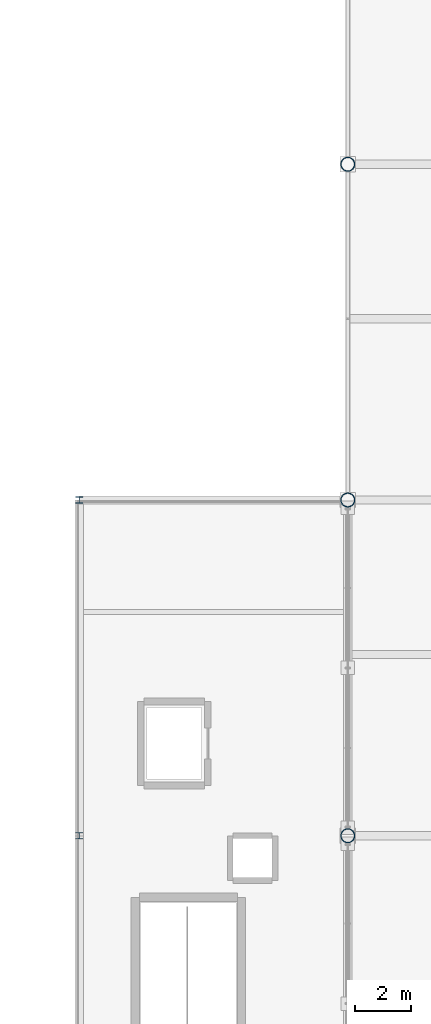
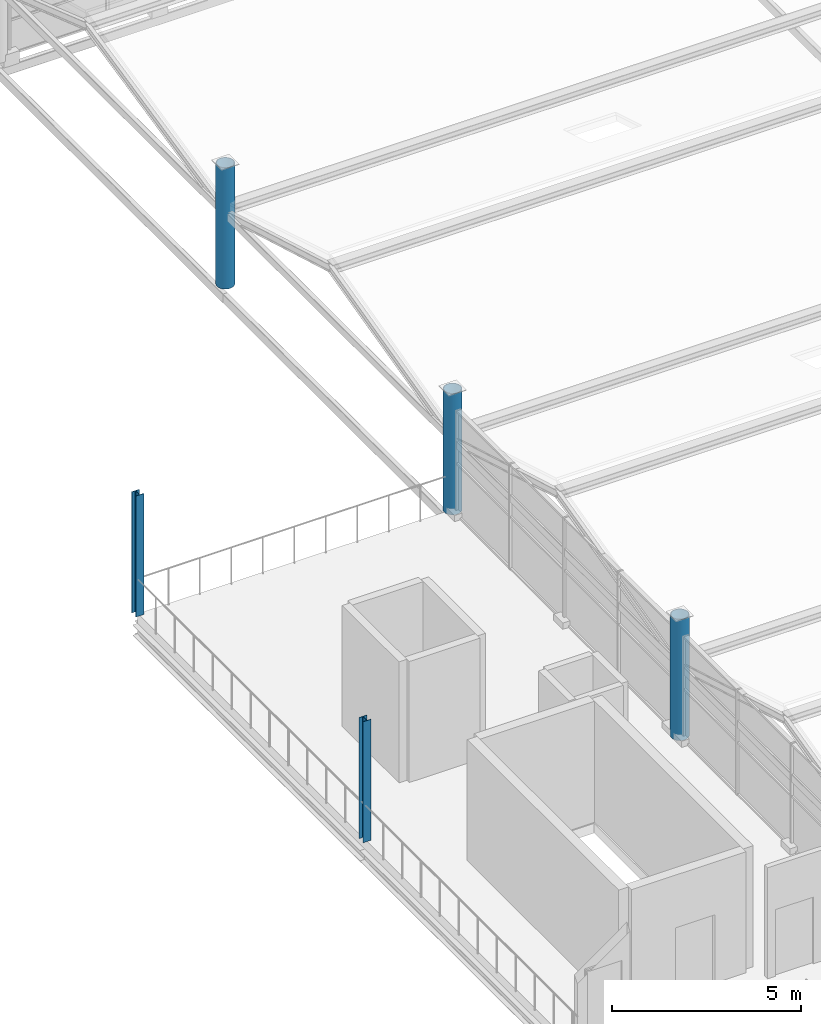
# One storey, part 9 of 117: 5 columns.
"""IFC4 building model written with IfcOpenShell, lengths in metres."""

from ifc_helpers import new_model, si_unit, direction, frame, origin, origin_2d, place, context, subcontext, project, spatial, hollow_circle, i_section, extrude, material, material_profile, profile_set, type_object, element, save


model = new_model("IFC4")

# Units and contexts
model_context = context("Model", 3, precision=1e-05, world=origin(), true_north=direction((0.0, 1.0)))
body_context = subcontext(model_context, "Body", "Model", "MODEL_VIEW")
ifc_project = project(units=[si_unit("LENGTHUNIT", "METRE"), si_unit("AREAUNIT", "SQUARE_METRE"), si_unit("VOLUMEUNIT", "CUBIC_METRE"), si_unit("PLANEANGLEUNIT", "RADIAN"), si_unit("MASSUNIT", "GRAM", prefix="KILO")], contexts=[model_context])

# Site, building, storey
site_placement = place(None, origin())
site = spatial("IfcSite", under=ifc_project, at=site_placement, CompositionType="ELEMENT")
building_placement = place(site_placement, origin())
building = spatial("IfcBuilding", under=site, at=building_placement, Name="Merenkruunu Market Hall", CompositionType="ELEMENT")
storey_placement = place(building_placement, frame((0.0, 0.0, 10.199951171875)))
storey = spatial("IfcBuildingStorey", under=building, at=storey_placement, Name="L02", CompositionType="ELEMENT", Elevation=10.199951171875)

# Columns
ifc_material_1 = material(Name="Steel S355J2", Category="steel")
ifc_material_profile_1 = material_profile(ifc_material_1, i_section(OverallWidth=0.239990234375, OverallDepth=0.22998046875, WebThickness=0.007568359375, FlangeThickness=0.011962890625, FilletRadius=0.02099609375, at=origin_2d()), Name="HEA 240")
ifc_profile_set_1 = profile_set([ifc_material_profile_1], Name="Steel S355J2")
column_type_1 = type_object("IfcColumnType", Name="Structural Column C10", PredefinedType="COLUMN", material=ifc_profile_set_1)
for number, where, z_axis, x_axis, name in (
    (1, (48.0, 63.60009765625, 0.0), (0.0, 0.0, 1.0), (1.0, 0.0, 0.0), "COL-L02-F-08"),
    (2, (48.0, 75.60009765625, 0.0), (0.0, 0.0, 1.0), (1.0, 0.0, 0.0), "COL-L02-F-09"),
):
    element("IfcColumn", number, at=place(storey_placement, frame(where, z_axis=z_axis, x_axis=x_axis)), inside=storey, type_object=column_type_1, Name=name, PredefinedType="COLUMN", context=body_context, shape_type="SweptSolid", body=[
        extrude(i_section(OverallWidth=0.239990234375, OverallDepth=0.22998046875, WebThickness=0.007568359375, FlangeThickness=0.011962890625, FilletRadius=0.02099609375, at=origin_2d()), origin(), (0.0, 0.0, 1.0), 3.900146484375),
    ])
ifc_material_2 = material(Name="Steel S355ML", Category="steel")
ifc_material_profile_2 = material_profile(ifc_material_2, hollow_circle(Radius=0.25390625, WallThickness=0.02001953125, at=origin_2d()), Name="CHS 508x20")
ifc_profile_set_2 = profile_set([ifc_material_profile_2], Name="Steel S355ML")
column_type_2 = type_object("IfcColumnType", Name="Structural Column C11", PredefinedType="COLUMN", material=ifc_profile_set_2)
for number, where, z_axis, x_axis, name in (
    (3, (57.60009765625, 63.60009765625, 0.0), (0.0, 0.0, 1.0), (1.0, 0.0, 0.0), "COL-L02-G-08"),
    (4, (57.60009765625, 75.60009765625, 0.0), (0.0, 0.0, 1.0), (1.0, 0.0, 0.0), "COL-L02-G-09"),
    (5, (57.60009765625, 87.60009765625, 0.0), (0.0, 0.0, 1.0), (1.0, 0.0, 0.0), "COL-L02-G-10"),
):
    element("IfcColumn", number, at=place(storey_placement, frame(where, z_axis=z_axis, x_axis=x_axis)), inside=storey, type_object=column_type_2, Name=name, PredefinedType="COLUMN", context=body_context, shape_type="SweptSolid", body=[
        extrude(hollow_circle(Radius=0.25390625, WallThickness=0.02001953125, at=origin_2d()), origin(), (0.0, 0.0, 1.0), 3.900146484375),
    ])

save(model, "model.ifc")
